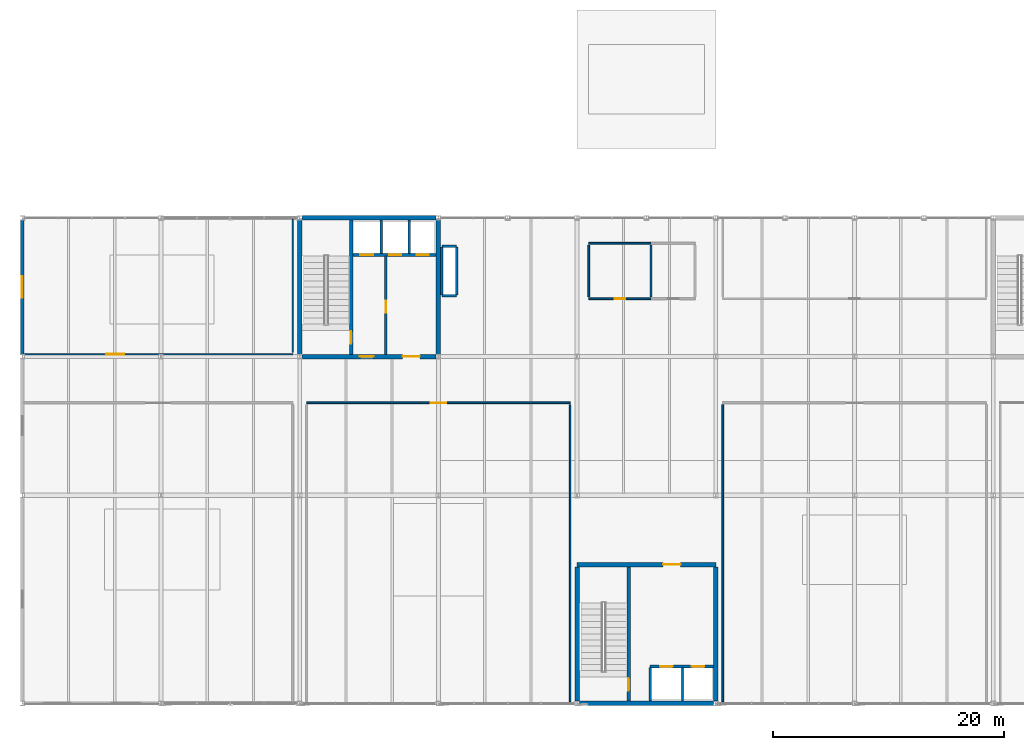
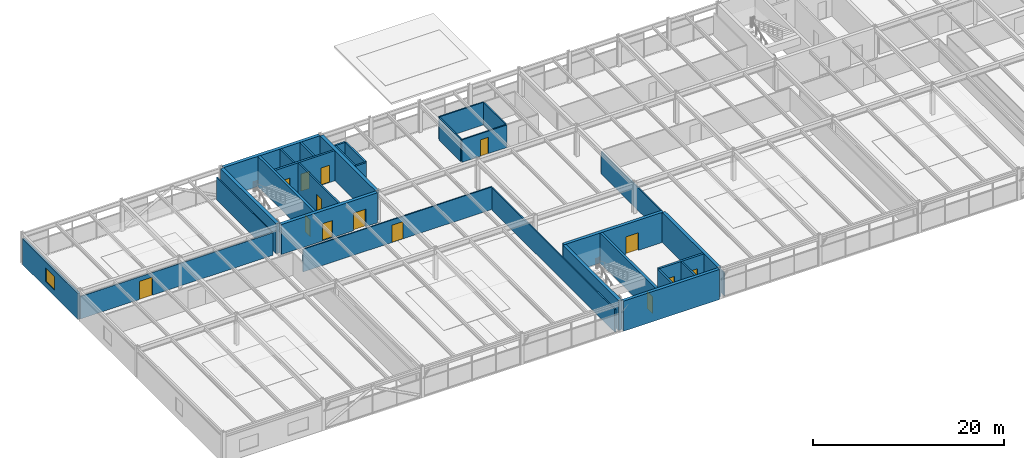
# One storey, part 41 of 49: 31 walls, 14 doors, 1 window, 15 openings.
"""IFC4 building model written with IfcOpenShell, lengths in metres."""

from ifc_helpers import new_model, si_unit, direction, frame, frame_2d, origin, place, context, subcontext, project, spatial, rectangle, extrude, material, layer, layer_set, type_object, element, fill, save


model = new_model("IFC4")

# Units and contexts
model_context = context("Model", 3, precision=1e-05, world=origin(), true_north=direction((0.0, 1.0)))
body_context = subcontext(model_context, "Body", "Model", "MODEL_VIEW")
ifc_project = project(units=[si_unit("LENGTHUNIT", "METRE"), si_unit("AREAUNIT", "SQUARE_METRE"), si_unit("VOLUMEUNIT", "CUBIC_METRE"), si_unit("PLANEANGLEUNIT", "RADIAN"), si_unit("MASSUNIT", "GRAM", prefix="KILO")], contexts=[model_context])

# Site, building, storey
site_placement = place(None, origin())
site = spatial("IfcSite", under=ifc_project, at=site_placement, CompositionType="ELEMENT")
building_placement = place(site_placement, origin())
building = spatial("IfcBuilding", under=site, at=building_placement, Name="Girod Span Mobility Hub", CompositionType="ELEMENT")
storey_placement = place(building_placement, frame((0.0, 0.0, 37.60009765625)))
storey = spatial("IfcBuildingStorey", under=building, at=storey_placement, Name="L09", CompositionType="ELEMENT", Elevation=37.60009765625)

# Wall
ifc_material_1 = material(Name="Concrete C40/50", Category="concrete")
ifc_layer_1 = layer(ifc_material_1, 0.3798828125)
ifc_layer_set_1 = layer_set([ifc_layer_1], Name="Concrete C40/50")
wall_type_1 = type_object("IfcWallType", Name="W-CW-380", PredefinedType="SHEAR", material=ifc_layer_set_1)
wall_1_placement = place(storey_placement, frame((72.194091796875, 27.0, 0.0), z_axis=(0.0, 0.0, 1.0), x_axis=(1.0, 0.0, 0.0)))
element("IfcWall", 1, at=wall_1_placement, inside=storey, type_object=wall_type_1, Name="Core C3 Shear Wall S L09", PredefinedType="SHEAR", context=body_context, shape_type="SweptSolid", body=[
    extrude(rectangle(XDim=11.61181640625, YDim=0.3798828125, at=frame_2d((5.805908203125, 0.0))), origin(), (0.0, 0.0, 1.0), 3.837890625),
])

# Wall, opening, door
wall_2_placement = place(storey_placement, frame((72.0, 39.0, 0.0), z_axis=(0.0, 0.0, 1.0), x_axis=(1.0, 0.0, 0.0)))
wall_2 = element("IfcWall", 2, at=wall_2_placement, inside=storey, type_object=wall_type_1, Name="Core C3 Shear Wall N L09", PredefinedType="SHEAR", context=body_context, shape_type="SweptSolid", body=[
    extrude(rectangle(XDim=12.0, YDim=0.3798828125, at=frame_2d((6.0, 0.0))), origin(), (0.0, 0.0, 1.0), 3.837890625),
])
opening_1_placement = place(wall_2_placement, frame((7.449951171875, 0.0, 0.0)))
opening_1 = element("IfcOpeningElement", 3, at=opening_1_placement, cuts=wall_2, Name="Opening D-LB-C3-L09", PredefinedType="OPENING", context=body_context, shape_type="SweptSolid", body=[
    extrude(rectangle(XDim=1.5, YDim=2.25, at=frame_2d((0.75, 1.125))), frame((0.0, 0.204833984375, 0.0), z_axis=(0.0, -1.0, 0.0), x_axis=(1.0, 0.0, 0.0)), (0.0, 0.0, 1.0), 0.409912109375),
])
ifc_material_2 = material(Name="Fire-Rated Insulated Hollow Metal Steel", Category="steel")
door_type_1 = type_object("IfcDoorType", Name="DT-FD-03", OperationType="DOUBLE_DOOR_SINGLE_SWING", PredefinedType="DOOR", material=ifc_material_2)
door_1_placement = place(opening_1_placement, origin())
door_1 = element("IfcDoor", 4, at=door_1_placement, inside=storey, type_object=door_type_1, Name="Core C3 Lobby Door L09", OperationType="DOUBLE_DOOR_SINGLE_SWING", OverallHeight=2.25, OverallWidth=1.5, PredefinedType="DOOR", context=body_context, shape_type="SweptSolid", body=[
    extrude(rectangle(XDim=1.5, YDim=2.25, at=frame_2d((0.75, 1.125))), frame((0.0, 0.02490234375, 0.0), z_axis=(0.0, -1.0, 0.0), x_axis=(1.0, 0.0, 0.0)), (0.0, 0.0, 1.0), 0.050048828125),
])
fill(opening_1, door_1)

# Walls
for number, where, z_axis, x_axis, name in (
    (5, (72.0, 27.1845703125, 0.0), (0.0, 0.0, 1.0), (0.0, 1.0, 0.0), "Core C3 Shear Wall W L09"),
    (6, (84.0, 27.1845703125, 0.0), (0.0, 0.0, 1.0), (0.0, 1.0, 0.0), "Core C3 Shear Wall E L09"),
):
    element("IfcWall", number, at=place(storey_placement, frame(where, z_axis=z_axis, x_axis=x_axis)), inside=storey, type_object=wall_type_1, Name=name, PredefinedType="SHEAR", context=body_context, shape_type="SweptSolid", body=[
        extrude(rectangle(XDim=11.62841796875, YDim=0.3798828125, at=frame_2d((5.814208984375, 0.0))), origin(), (0.0, 0.0, 1.0), 3.837890625),
    ])

# Wall, openings, doors
ifc_material_3 = material(Name="Concrete C40/50", Category="concrete")
ifc_layer_2 = layer(ifc_material_3, 0.39990234375)
ifc_layer_set_2 = layer_set([ifc_layer_2], Name="Concrete C40/50")
wall_type_2 = type_object("IfcWallType", Name="W-CW-400", PredefinedType="SHEAR", material=ifc_layer_set_2)
wall_3_placement = place(storey_placement, frame((48.196533203125, 57.0, 0.0), z_axis=(0.0, 0.0, 1.0), x_axis=(1.0, 0.0, 0.0)))
wall_3 = element("IfcWall", 7, at=wall_3_placement, inside=storey, type_object=wall_type_2, Name="Core C1 Shear Wall S L09", PredefinedType="SHEAR", context=body_context, shape_type="SweptSolid", body=[
    extrude(rectangle(XDim=11.60693359375, YDim=0.39990234375, at=frame_2d((5.803466796875, 0.0))), origin(), (0.0, 0.0, 1.0), 3.837890625),
])
opening_2_placement = place(wall_3_placement, frame((5.00390625, 0.0, 0.0)))
opening_2 = element("IfcOpeningElement", 8, at=opening_2_placement, cuts=wall_3, Name="Opening D-FL-C1-L09", PredefinedType="OPENING", context=body_context, shape_type="SweptSolid", body=[
    extrude(rectangle(XDim=1.199951171875, YDim=2.199951171875, at=frame_2d((0.60009765625, 1.10009765625))), frame((0.0, 0.21484375, 0.0), z_axis=(0.0, -1.0, 0.0), x_axis=(1.0, 0.0, 0.0)), (0.0, 0.0, 1.0), 0.429931640625),
])
opening_3_placement = place(wall_3_placement, frame((8.702880859375, 0.0, 0.0)))
opening_3 = element("IfcOpeningElement", 9, at=opening_3_placement, cuts=wall_3, Name="Opening D-LB-C1-L09", PredefinedType="OPENING", context=body_context, shape_type="SweptSolid", body=[
    extrude(rectangle(XDim=1.5, YDim=2.25, at=frame_2d((0.75, 1.125))), frame((0.0, 0.21484375, 0.0), z_axis=(0.0, -1.0, 0.0), x_axis=(1.0, 0.0, 0.0)), (0.0, 0.0, 1.0), 0.429931640625),
])
door_2_placement = place(opening_3_placement, origin())
door_2 = element("IfcDoor", 10, at=door_2_placement, inside=storey, type_object=door_type_1, Name="Lift Lobby Entry Door C1 L09", OperationType="DOUBLE_DOOR_SINGLE_SWING", OverallHeight=2.25, OverallWidth=1.5, PredefinedType="DOOR", context=body_context, shape_type="SweptSolid", body=[
    extrude(rectangle(XDim=1.5, YDim=2.25, at=frame_2d((0.75, 1.125))), frame((0.0, 0.02490234375, 0.0), z_axis=(0.0, -1.0, 0.0), x_axis=(1.0, 0.0, 0.0)), (0.0, 0.0, 1.0), 0.050048828125),
])
fill(opening_3, door_2)
ifc_material_4 = material(Name="Fire-Rated Insulated Hollow Metal Steel", Category="steel")
door_type_2 = type_object("IfcDoorType", Name="DT-FD-05", OperationType="NOTDEFINED", PredefinedType="DOOR", material=ifc_material_4)
door_3_placement = place(opening_2_placement, origin())
door_3 = element("IfcDoor", 11, at=door_3_placement, inside=storey, type_object=door_type_2, Name="Firefighting Lobby Entry Door C1 L09", OperationType="SINGLE_SWING_RIGHT", OverallHeight=2.199951171875, OverallWidth=1.199951171875, PredefinedType="DOOR", context=body_context, shape_type="SweptSolid", body=[
    extrude(rectangle(XDim=1.199951171875, YDim=2.199951171875, at=frame_2d((0.60009765625, 1.10009765625))), frame((0.0, 0.02490234375, 0.0), z_axis=(0.0, -1.0, 0.0), x_axis=(1.0, 0.0, 0.0)), (0.0, 0.0, 1.0), 0.050048828125),
])
fill(opening_2, door_3)

# Walls
wall_4_placement = place(storey_placement, frame((48.196533203125, 69.0, 0.0), z_axis=(0.0, 0.0, 1.0), x_axis=(1.0, 0.0, 0.0)))
element("IfcWall", 12, at=wall_4_placement, inside=storey, type_object=wall_type_2, Name="Core C1 Shear Wall N L09", PredefinedType="SHEAR", context=body_context, shape_type="SweptSolid", body=[
    extrude(rectangle(XDim=11.60693359375, YDim=0.39990234375, at=frame_2d((5.803466796875, 0.0))), origin(), (0.0, 0.0, 1.0), 3.837890625),
])
for number, where, z_axis, x_axis, name in (
    (13, (48.0, 57.193603515625, 0.0), (0.0, 0.0, 1.0), (0.0, 1.0, 0.0), "Core C1 Shear Wall W L09"),
    (14, (60.0, 57.193603515625, 0.0), (0.0, 0.0, 1.0), (0.0, 1.0, 0.0), "Core C1 Shear Wall E L09"),
):
    element("IfcWall", number, at=place(storey_placement, frame(where, z_axis=z_axis, x_axis=x_axis)), inside=storey, type_object=wall_type_2, Name=name, PredefinedType="SHEAR", context=body_context, shape_type="SweptSolid", body=[
        extrude(rectangle(XDim=11.61279296875, YDim=0.39990234375, at=frame_2d((5.806396484375, 0.0))), origin(), (0.0, 0.0, 1.0), 3.837890625),
    ])

# Wall, opening, window
ifc_material_5 = material(Name="Precast Architectural Concrete C40/50", Category="concrete")
ifc_layer_3 = layer(ifc_material_5, 0.27001953125)
ifc_layer_set_3 = layer_set([ifc_layer_3], Name="Precast Architectural Concrete C40/50")
wall_type_3 = type_object("IfcWallType", Name="W-EXT-270", PredefinedType="SOLIDWALL", material=ifc_layer_set_3)
wall_5_placement = place(storey_placement, frame((24.0, 57.185546875, 0.0), z_axis=(0.0, 0.0, 1.0), x_axis=(0.0, 1.0, 0.0)))
wall_5 = element("IfcWall", 15, at=wall_5_placement, inside=storey, type_object=wall_type_3, Name="End Facade Insulated Wall W-E L09", PredefinedType="SOLIDWALL", context=body_context, shape_type="SweptSolid", body=[
    extrude(rectangle(XDim=11.62890625, YDim=0.27001953125, at=frame_2d((5.814453125, 0.0))), origin(), (0.0, 0.0, 1.0), 3.291015625),
])
opening_4_placement = place(wall_5_placement, frame((4.885009765625, 0.0, 0.780029296875)))
opening_4 = element("IfcOpeningElement", 16, at=opening_4_placement, cuts=wall_5, Name="Opening W-L09-W4", PredefinedType="OPENING", context=body_context, shape_type="SweptSolid", body=[
    extrude(rectangle(XDim=1.860107421875, YDim=1.739990234375, at=frame_2d((0.93017578125, 0.8701171875))), frame((0.0, 0.14990234375, 0.0), z_axis=(0.0, -1.0, 0.0), x_axis=(1.0, 0.0, 0.0)), (0.0, 0.0, 1.0), 0.300048828125),
])
ifc_material_6 = material(Name="Double Low-E Insulated Glazing", Category="glass")
window_type = type_object("IfcWindowType", Name="WN-34", PartitioningType="DOUBLE_PANEL_VERTICAL", PredefinedType="WINDOW", material=ifc_material_6)
window_placement = place(opening_4_placement, origin())
window = element("IfcWindow", 17, at=window_placement, inside=storey, type_object=window_type, Name="End Office Window WN-34", OverallHeight=1.739990234375, OverallWidth=1.860107421875, PartitioningType="DOUBLE_PANEL_VERTICAL", PredefinedType="WINDOW", context=body_context, shape_type="SweptSolid", body=[
    extrude(rectangle(XDim=1.860107421875, YDim=1.739990234375, at=frame_2d((0.93017578125, 0.8701171875))), frame((0.0, 0.030029296875, 0.0), z_axis=(0.0, -1.0, 0.0), x_axis=(1.0, 0.0, 0.0)), (0.0, 0.0, 1.0), 0.06005859375),
])
fill(opening_4, window)

# Wall, opening, door
ifc_material_7 = material(Name="Concrete C40/50", Category="concrete")
ifc_layer_4 = layer(ifc_material_7, 0.18994140625)
ifc_layer_set_4 = layer_set([ifc_layer_4], Name="Concrete C40/50")
wall_type_4 = type_object("IfcWallType", Name="W-FL-190", PredefinedType="SOLIDWALL", material=ifc_layer_set_4)
wall_6_placement = place(storey_placement, frame((55.449951171875, 57.199951171875, 0.0), z_axis=(0.0, 0.0, 1.0), x_axis=(0.0, 1.0, 0.0)))
wall_6 = element("IfcWall", 18, at=wall_6_placement, inside=storey, type_object=wall_type_4, Name="Core C1 Firefighting Lobby Wall L09", PredefinedType="SOLIDWALL", context=body_context, shape_type="SweptSolid", body=[
    extrude(rectangle(XDim=8.47998046875, YDim=0.18994140625, at=frame_2d((4.239990234375, 0.0))), origin(), (0.0, 0.0, 1.0), 3.827880859375),
])
opening_5_placement = place(wall_6_placement, frame((3.60009765625, 0.0, 0.0)))
opening_5 = element("IfcOpeningElement", 19, at=opening_5_placement, cuts=wall_6, Name="Opening D-FLX-C1-L09", PredefinedType="OPENING", context=body_context, shape_type="SweptSolid", body=[
    extrude(rectangle(XDim=1.0400390625, YDim=2.179931640625, at=frame_2d((0.52001953125, 1.08984375))), frame((0.0, 0.10986328125, 0.0), z_axis=(0.0, -1.0, 0.0), x_axis=(1.0, 0.0, 0.0)), (0.0, 0.0, 1.0), 0.219970703125),
])
ifc_material_8 = material(Name="Fire-Rated Insulated Hollow Metal Steel", Category="steel")
door_type_3 = type_object("IfcDoorType", Name="DT-FD-02", OperationType="NOTDEFINED", PredefinedType="DOOR", material=ifc_material_8)
door_4_placement = place(opening_5_placement, origin())
door_4 = element("IfcDoor", 20, at=door_4_placement, inside=storey, type_object=door_type_3, Name="Firefighting Lobby Interconnect Door C1 L09", OperationType="SINGLE_SWING_RIGHT", OverallHeight=2.179931640625, OverallWidth=1.0400390625, PredefinedType="DOOR", context=body_context, shape_type="SweptSolid", body=[
    extrude(rectangle(XDim=1.0400390625, YDim=2.179931640625, at=frame_2d((0.52001953125, 1.08984375))), frame((0.0, 0.02490234375, 0.0), z_axis=(0.0, -1.0, 0.0), x_axis=(1.0, 0.0, 0.0)), (0.0, 0.0, 1.0), 0.050048828125),
])
fill(opening_5, door_4)

ifc_material_9 = material(Name="Fire-Rated Gypsum Board on Metal Studs", Category="gypsum")
ifc_layer_5 = layer(ifc_material_9, 0.155029296875)
ifc_layer_set_5 = layer_set([ifc_layer_5], Name="Fire-Rated Gypsum Board on Metal Studs")
wall_type_5 = type_object("IfcWallType", Name="W-PLB-155", PredefinedType="PLUMBINGWALL", material=ifc_layer_set_5)
wall_7_placement = place(storey_placement, frame((73.0, 62.0, 0.0), z_axis=(0.0, 0.0, 1.0), x_axis=(1.0, 0.0, 0.0)))
wall_7 = element("IfcWall", 21, at=wall_7_placement, inside=storey, type_object=wall_type_5, Name="Restroom L09 Partition S", PredefinedType="PLUMBINGWALL", context=body_context, shape_type="SweptSolid", body=[
    extrude(rectangle(XDim=5.39990234375, YDim=0.155029296875, at=frame_2d((2.699951171875, 0.0))), origin(), (0.0, 0.0, 1.0), 2.8798828125),
])
opening_6_placement = place(wall_7_placement, frame((2.239990234375, 0.0, 0.0)))
opening_6 = element("IfcOpeningElement", 22, at=opening_6_placement, cuts=wall_7, Name="Opening D-L09-WC-MAIN", PredefinedType="OPENING", context=body_context, shape_type="SweptSolid", body=[
    extrude(rectangle(XDim=0.919921875, YDim=2.10009765625, at=frame_2d((0.4599609375, 1.050048828125))), frame((0.0, 0.092529296875, 0.0), z_axis=(0.0, -1.0, 0.0), x_axis=(1.0, 0.0, 0.0)), (0.0, 0.0, 1.0), 0.18505859375),
])
ifc_material_10 = material(Name="Solid-Core Architectural Timber", Category="wood")
door_type_4 = type_object("IfcDoorType", Name="DT-NR-01", OperationType="NOTDEFINED", PredefinedType="DOOR", material=ifc_material_10)
door_5_placement = place(opening_6_placement, origin())
door_5 = element("IfcDoor", 23, at=door_5_placement, inside=storey, type_object=door_type_4, Name="Restroom L09 Door", OperationType="SINGLE_SWING_LEFT", OverallHeight=2.10009765625, OverallWidth=0.919921875, PredefinedType="DOOR", context=body_context, shape_type="SweptSolid", body=[
    extrude(rectangle(XDim=0.919921875, YDim=2.10009765625, at=frame_2d((0.4599609375, 1.050048828125))), frame((0.0, 0.02490234375, 0.0), z_axis=(0.0, -1.0, 0.0), x_axis=(1.0, 0.0, 0.0)), (0.0, 0.0, 1.0), 0.050048828125),
])
fill(opening_6, door_5)

# Walls
wall_8_placement = place(storey_placement, frame((73.0, 66.800048828125, 0.0), z_axis=(0.0, 0.0, 1.0), x_axis=(1.0, 0.0, 0.0)))
element("IfcWall", 24, at=wall_8_placement, inside=storey, type_object=wall_type_5, Name="Restroom L09 Partition N", PredefinedType="PLUMBINGWALL", context=body_context, shape_type="SweptSolid", body=[
    extrude(rectangle(XDim=5.39990234375, YDim=0.155029296875, at=frame_2d((2.699951171875, 0.0))), origin(), (0.0, 0.0, 1.0), 2.8798828125),
])
for number, where, z_axis, x_axis, name in (
    (25, (73.0, 62.159912109375, 0.0), (0.0, 0.0, 1.0), (0.0, 1.0, 0.0), "Restroom L09 Partition W"),
    (26, (78.39990234375, 62.159912109375, 0.0), (0.0, 0.0, 1.0), (0.0, 1.0, 0.0), "Restroom L09 Partition E"),
):
    element("IfcWall", number, at=place(storey_placement, frame(where, z_axis=z_axis, x_axis=x_axis)), inside=storey, type_object=wall_type_5, Name=name, PredefinedType="PLUMBINGWALL", context=body_context, shape_type="SweptSolid", body=[
        extrude(rectangle(XDim=4.47998046875, YDim=0.155029296875, at=frame_2d((2.239990234375, 0.0))), origin(), (0.0, 0.0, 1.0), 2.8798828125),
    ])

# Wall, opening, door
ifc_material_11 = material(Name="Fire-Rated Gypsum Board on Metal Studs", Category="gypsum")
ifc_layer_6 = layer(ifc_material_11, 0.125)
ifc_layer_set_6 = layer_set([ifc_layer_6], Name="Fire-Rated Gypsum Board on Metal Studs")
wall_type_6 = type_object("IfcWallType", Name="W-PT-125", PredefinedType="PARTITIONING", material=ifc_layer_set_6)
wall_9_placement = place(storey_placement, frame((24.139892578125, 57.199951171875, 0.0), z_axis=(0.0, 0.0, 1.0), x_axis=(1.0, 0.0, 0.0)))
wall_9 = element("IfcWall", 27, at=wall_9_placement, inside=storey, type_object=wall_type_6, Name="Engineering Studio West L09 Partition S", PredefinedType="PARTITIONING", context=body_context, shape_type="SweptSolid", body=[
    extrude(rectangle(XDim=23.260009765625, YDim=0.125, at=frame_2d((11.6298828125, 0.0))), origin(), (0.0, 0.0, 1.0), 2.8798828125),
])
opening_7_placement = place(wall_9_placement, frame((7.133056640625, 0.0, 0.0)))
opening_7 = element("IfcOpeningElement", 28, at=opening_7_placement, cuts=wall_9, Name="Opening D-L09-OFF-NW", PredefinedType="OPENING", context=body_context, shape_type="SweptSolid", body=[
    extrude(rectangle(XDim=1.550048828125, YDim=2.31005859375, at=frame_2d((0.77490234375, 1.155029296875))), frame((0.0, 0.077392578125, 0.0), z_axis=(0.0, -1.0, 0.0), x_axis=(1.0, 0.0, 0.0)), (0.0, 0.0, 1.0), 0.155029296875),
])
ifc_material_12 = material(Name="Solid-Core Architectural Timber", Category="wood")
door_type_5 = type_object("IfcDoorType", Name="DT-NR-14", OperationType="DOUBLE_DOOR_SINGLE_SWING", PredefinedType="DOOR", material=ifc_material_12)
door_6_placement = place(opening_7_placement, origin())
door_6 = element("IfcDoor", 29, at=door_6_placement, inside=storey, type_object=door_type_5, Name="Engineering Studio West L09 Door", OperationType="DOUBLE_DOOR_SINGLE_SWING", OverallHeight=2.31005859375, OverallWidth=1.550048828125, PredefinedType="DOOR", context=body_context, shape_type="SweptSolid", body=[
    extrude(rectangle(XDim=1.550048828125, YDim=2.31005859375, at=frame_2d((0.77490234375, 1.155029296875))), frame((0.0, 0.02490234375, 0.0), z_axis=(0.0, -1.0, 0.0), x_axis=(1.0, 0.0, 0.0)), (0.0, 0.0, 1.0), 0.050048828125),
])
fill(opening_7, door_6)

# Wall
wall_10_placement = place(storey_placement, frame((47.39990234375, 57.360107421875, 0.0), z_axis=(0.0, 0.0, 1.0), x_axis=(0.0, 1.0, 0.0)))
element("IfcWall", 30, at=wall_10_placement, inside=storey, type_object=wall_type_6, Name="Engineering Studio West L09 Partition E", PredefinedType="PARTITIONING", context=body_context, shape_type="SweptSolid", body=[
    extrude(rectangle(XDim=11.5, YDim=0.125, at=frame_2d((5.75, 0.0))), origin(), (0.0, 0.0, 1.0), 2.8798828125),
])

# Wall, opening, door
ifc_material_13 = material(Name="Fire-Rated Gypsum Board on Metal Studs", Category="gypsum")
ifc_layer_7 = layer(ifc_material_13, 0.139892578125)
ifc_layer_set_7 = layer_set([ifc_layer_7], Name="Fire-Rated Gypsum Board on Metal Studs")
wall_type_7 = type_object("IfcWallType", Name="W-PT-140", PredefinedType="PARTITIONING", material=ifc_layer_set_7)
wall_11_placement = place(storey_placement, frame((48.60009765625, 53.0, 0.0), z_axis=(0.0, 0.0, 1.0), x_axis=(1.0, 0.0, 0.0)))
wall_11 = element("IfcWall", 31, at=wall_11_placement, inside=storey, type_object=wall_type_7, Name="Conference Room West L09 Partition N", PredefinedType="PARTITIONING", context=body_context, shape_type="SweptSolid", body=[
    extrude(rectangle(XDim=22.7998046875, YDim=0.139892578125, at=frame_2d((11.39990234375, 0.0))), origin(), (0.0, 0.0, 1.0), 2.8798828125),
])
opening_8_placement = place(wall_11_placement, frame((10.735107421875, 0.0, 0.0)))
opening_8 = element("IfcOpeningElement", 32, at=opening_8_placement, cuts=wall_11, Name="Opening D-L09-CONF-SW", PredefinedType="OPENING", context=body_context, shape_type="SweptSolid", body=[
    extrude(rectangle(XDim=1.330078125, YDim=2.199951171875, at=frame_2d((0.6650390625, 1.10009765625))), frame((0.0, 0.0849609375, 0.0), z_axis=(0.0, -1.0, 0.0), x_axis=(1.0, 0.0, 0.0)), (0.0, 0.0, 1.0), 0.169921875),
])
ifc_material_14 = material(Name="Solid-Core Architectural Timber", Category="wood")
door_type_6 = type_object("IfcDoorType", Name="DT-NR-10", OperationType="DOUBLE_DOOR_SINGLE_SWING", PredefinedType="DOOR", material=ifc_material_14)
door_7_placement = place(opening_8_placement, origin())
door_7 = element("IfcDoor", 33, at=door_7_placement, inside=storey, type_object=door_type_6, Name="Conference Room West L09 Door", OperationType="DOUBLE_DOOR_SINGLE_SWING", OverallHeight=2.199951171875, OverallWidth=1.330078125, PredefinedType="DOOR", context=body_context, shape_type="SweptSolid", body=[
    extrude(rectangle(XDim=1.330078125, YDim=2.199951171875, at=frame_2d((0.6650390625, 1.10009765625))), frame((0.0, 0.02490234375, 0.0), z_axis=(0.0, -1.0, 0.0), x_axis=(1.0, 0.0, 0.0)), (0.0, 0.0, 1.0), 0.050048828125),
])
fill(opening_8, door_7)

# Walls
for number, where, z_axis, x_axis, name in (
    (34, (71.39990234375, 27.139892578125, 0.0), (0.0, 0.0, 1.0), (0.0, 1.0, 0.0), "Conference Room West L09 Partition E"),
    (35, (84.60009765625, 27.139892578125, 0.0), (0.0, 0.0, 1.0), (0.0, 1.0, 0.0), "Planning Studio South L09 Partition W"),
):
    element("IfcWall", number, at=place(storey_placement, frame(where, z_axis=z_axis, x_axis=x_axis)), inside=storey, type_object=wall_type_7, Name=name, PredefinedType="PARTITIONING", context=body_context, shape_type="SweptSolid", body=[
        extrude(rectangle(XDim=25.7001953125, YDim=0.139892578125, at=frame_2d((12.85009765625, 0.0))), origin(), (0.0, 0.0, 1.0), 2.8798828125),
    ])
ifc_material_15 = material(Name="Concrete C40/50", Category="concrete")
ifc_layer_8 = layer(ifc_material_15, 0.199951171875)
ifc_layer_set_8 = layer_set([ifc_layer_8], Name="Concrete C40/50")
wall_type_8 = type_object("IfcWallType", Name="W-SH-200", PredefinedType="SOLIDWALL", material=ifc_layer_set_8)
for number, where, z_axis, x_axis, name in (
    (36, (60.297119140625, 62.25, 0.0), (0.0, 0.0, 1.0), (1.0, 0.0, 0.0), "Sanitary Wet Riser Shaft Wall S L09"),
    (37, (60.297119140625, 66.550048828125, 0.0), (0.0, 0.0, 1.0), (1.0, 0.0, 0.0), "Sanitary Wet Riser Shaft Wall N L09"),
):
    element("IfcWall", number, at=place(storey_placement, frame(where, z_axis=z_axis, x_axis=x_axis)), inside=storey, type_object=wall_type_8, Name=name, PredefinedType="SOLIDWALL", context=body_context, shape_type="SweptSolid", body=[
        extrude(rectangle(XDim=1.282958984375, YDim=0.199951171875, at=frame_2d((0.6416015625, 0.0))), origin(), (0.0, 0.0, 1.0), 3.837890625),
    ])
for number, where, z_axis, x_axis, name in (
    (38, (60.297119140625, 62.330078125, 0.0), (0.0, 0.0, 1.0), (0.0, 1.0, 0.0), "Sanitary Wet Riser Shaft Wall W L09"),
    (39, (61.580078125, 62.330078125, 0.0), (0.0, 0.0, 1.0), (0.0, 1.0, 0.0), "Sanitary Wet Riser Shaft Wall E L09"),
):
    element("IfcWall", number, at=place(storey_placement, frame(where, z_axis=z_axis, x_axis=x_axis)), inside=storey, type_object=wall_type_8, Name=name, PredefinedType="SOLIDWALL", context=body_context, shape_type="SweptSolid", body=[
        extrude(rectangle(XDim=4.139892578125, YDim=0.199951171875, at=frame_2d((2.06982421875, 0.0))), origin(), (0.0, 0.0, 1.0), 3.837890625),
    ])
for number, where, z_axis, x_axis, name in (
    (40, (55.050048828125, 65.919921875, 0.0), (0.0, 0.0, 1.0), (0.0, 1.0, 0.0), "Core C1 Shaft Divider 1 L09"),
    (41, (57.47998046875, 65.919921875, 0.0), (0.0, 0.0, 1.0), (0.0, 1.0, 0.0), "Core C1 Shaft Divider 2 L09"),
):
    element("IfcWall", number, at=place(storey_placement, frame(where, z_axis=z_axis, x_axis=x_axis)), inside=storey, type_object=wall_type_8, Name=name, PredefinedType="SOLIDWALL", context=body_context, shape_type="SweptSolid", body=[
        extrude(rectangle(XDim=2.880126953125, YDim=0.199951171875, at=frame_2d((1.43994140625, 0.0))), origin(), (0.0, 0.0, 1.0), 3.827880859375),
    ])
for number, where, z_axis, x_axis, name in (
    (42, (78.320068359375, 27.18994140625, 0.0), (0.0, 0.0, 1.0), (0.0, 1.0, 0.0), "Core C3 Shaft Divider 1 L09"),
    (43, (81.1201171875, 27.18994140625, 0.0), (0.0, 0.0, 1.0), (0.0, 1.0, 0.0), "Core C3 Shaft Divider 2 L09"),
):
    element("IfcWall", number, at=place(storey_placement, frame(where, z_axis=z_axis, x_axis=x_axis)), inside=storey, type_object=wall_type_8, Name=name, PredefinedType="SOLIDWALL", context=body_context, shape_type="SweptSolid", body=[
        extrude(rectangle(XDim=2.89013671875, YDim=0.199951171875, at=frame_2d((1.445068359375, 0.0))), origin(), (0.0, 0.0, 1.0), 3.827880859375),
    ])

# Wall, openings, doors
ifc_material_16 = material(Name="Concrete C40/50", Category="concrete")
ifc_layer_9 = layer(ifc_material_16, 0.25)
ifc_layer_set_9 = layer_set([ifc_layer_9], Name="Concrete C40/50")
wall_type_9 = type_object("IfcWallType", Name="W-SH-250", PredefinedType="SOLIDWALL", material=ifc_layer_set_9)
wall_12_placement = place(storey_placement, frame((52.596923828125, 65.800048828125, 0.0), z_axis=(0.0, 0.0, 1.0), x_axis=(1.0, 0.0, 0.0)))
wall_12 = element("IfcWall", 44, at=wall_12_placement, inside=storey, type_object=wall_type_9, Name="Core C1 Hoistway Front Wall L09", PredefinedType="SOLIDWALL", context=body_context, shape_type="SweptSolid", body=[
    extrude(rectangle(XDim=7.2060546875, YDim=0.25, at=frame_2d((3.60302734375, 0.0))), origin(), (0.0, 0.0, 1.0), 3.837890625),
])
opening_9_placement = place(wall_12_placement, frame((0.653076171875, 0.0, 0.0)))
opening_9 = element("IfcOpeningElement", 45, at=opening_9_placement, cuts=wall_12, Name="Opening LD-FL-1-L09", PredefinedType="OPENING", context=body_context, shape_type="SweptSolid", body=[
    extrude(rectangle(XDim=1.10009765625, YDim=2.239990234375, at=frame_2d((0.550048828125, 1.1201171875))), frame((0.0, 0.139892578125, 0.0), z_axis=(0.0, -1.0, 0.0), x_axis=(1.0, 0.0, 0.0)), (0.0, 0.0, 1.0), 0.280029296875),
])
opening_10_placement = place(wall_12_placement, frame((3.153076171875, 0.0, 0.0)))
opening_10 = element("IfcOpeningElement", 46, at=opening_10_placement, cuts=wall_12, Name="Opening LD-LP-1-L09", PredefinedType="OPENING", context=body_context, shape_type="SweptSolid", body=[
    extrude(rectangle(XDim=1.050048828125, YDim=2.199951171875, at=frame_2d((0.52490234375, 1.10009765625))), frame((0.0, 0.139892578125, 0.0), z_axis=(0.0, -1.0, 0.0), x_axis=(1.0, 0.0, 0.0)), (0.0, 0.0, 1.0), 0.280029296875),
])
opening_11_placement = place(wall_12_placement, frame((5.528076171875, 0.0, 0.0)))
opening_11 = element("IfcOpeningElement", 47, at=opening_11_placement, cuts=wall_12, Name="Opening LD-LP-2-L09", PredefinedType="OPENING", context=body_context, shape_type="SweptSolid", body=[
    extrude(rectangle(XDim=1.050048828125, YDim=2.199951171875, at=frame_2d((0.52490234375, 1.10009765625))), frame((0.0, 0.139892578125, 0.0), z_axis=(0.0, -1.0, 0.0), x_axis=(1.0, 0.0, 0.0)), (0.0, 0.0, 1.0), 0.280029296875),
])
ifc_material_17 = material(Name="Brushed Stainless Steel Grade 304", Category="steel")
door_type_7 = type_object("IfcDoorType", Name="LD-FL-110", OperationType="SLIDING_TO_LEFT", PredefinedType="USERDEFINED", material=ifc_material_17)
door_8_placement = place(opening_9_placement, origin())
door_8 = element("IfcDoor", 48, at=door_8_placement, inside=storey, type_object=door_type_7, Name="Lift FL-1 Sliding Landing Door L09", ObjectType="LANDING DOOR", OperationType="SLIDING_TO_LEFT", OverallHeight=2.239990234375, OverallWidth=1.10009765625, PredefinedType="USERDEFINED", context=body_context, shape_type="SweptSolid", body=[
    extrude(rectangle(XDim=1.10009765625, YDim=2.239990234375, at=frame_2d((0.550048828125, 1.1201171875))), frame((0.0, 0.02490234375, 0.0), z_axis=(0.0, -1.0, 0.0), x_axis=(1.0, 0.0, 0.0)), (0.0, 0.0, 1.0), 0.050048828125),
])
fill(opening_9, door_8)
ifc_material_18 = material(Name="Brushed Stainless Steel Grade 304", Category="steel")
door_type_8 = type_object("IfcDoorType", Name="LD-LP-105", OperationType="SLIDING_TO_LEFT", PredefinedType="USERDEFINED", material=ifc_material_18)
door_9_placement = place(opening_10_placement, origin())
door_9 = element("IfcDoor", 49, at=door_9_placement, inside=storey, type_object=door_type_8, Name="Lift LP-1 Sliding Landing Door L09", ObjectType="LANDING DOOR", OperationType="SLIDING_TO_LEFT", OverallHeight=2.199951171875, OverallWidth=1.050048828125, PredefinedType="USERDEFINED", context=body_context, shape_type="SweptSolid", body=[
    extrude(rectangle(XDim=1.050048828125, YDim=2.199951171875, at=frame_2d((0.52490234375, 1.10009765625))), frame((0.0, 0.02490234375, 0.0), z_axis=(0.0, -1.0, 0.0), x_axis=(1.0, 0.0, 0.0)), (0.0, 0.0, 1.0), 0.050048828125),
])
fill(opening_10, door_9)
door_10_placement = place(opening_11_placement, origin())
door_10 = element("IfcDoor", 50, at=door_10_placement, inside=storey, type_object=door_type_8, Name="Lift LP-2 Sliding Landing Door L09", ObjectType="LANDING DOOR", OperationType="SLIDING_TO_LEFT", OverallHeight=2.199951171875, OverallWidth=1.050048828125, PredefinedType="USERDEFINED", context=body_context, shape_type="SweptSolid", body=[
    extrude(rectangle(XDim=1.050048828125, YDim=2.199951171875, at=frame_2d((0.52490234375, 1.10009765625))), frame((0.0, 0.02490234375, 0.0), z_axis=(0.0, -1.0, 0.0), x_axis=(1.0, 0.0, 0.0)), (0.0, 0.0, 1.0), 0.050048828125),
])
fill(opening_11, door_10)

wall_13_placement = place(storey_placement, frame((78.320068359375, 30.199951171875, 0.0), z_axis=(0.0, 0.0, 1.0), x_axis=(1.0, 0.0, 0.0)))
wall_13 = element("IfcWall", 51, at=wall_13_placement, inside=storey, type_object=wall_type_9, Name="Core C3 Hoistway Front Wall L09", PredefinedType="SOLIDWALL", context=body_context, shape_type="SweptSolid", body=[
    extrude(rectangle(XDim=5.492919921875, YDim=0.25, at=frame_2d((2.74658203125, 0.0))), origin(), (0.0, 0.0, 1.0), 3.837890625),
])
opening_12_placement = place(wall_13_placement, frame((0.860107421875, 0.0, 0.0)))
opening_12 = element("IfcOpeningElement", 52, at=opening_12_placement, cuts=wall_13, Name="Opening LD-LP-5-L09", PredefinedType="OPENING", context=body_context, shape_type="SweptSolid", body=[
    extrude(rectangle(XDim=1.080078125, YDim=2.219970703125, at=frame_2d((0.5400390625, 1.10986328125))), frame((0.0, 0.139892578125, 0.0), z_axis=(0.0, -1.0, 0.0), x_axis=(1.0, 0.0, 0.0)), (0.0, 0.0, 1.0), 0.280029296875),
])
opening_13_placement = place(wall_13_placement, frame((3.610107421875, 0.0, 0.0)))
opening_13 = element("IfcOpeningElement", 53, at=opening_13_placement, cuts=wall_13, Name="Opening LD-LP-6-L09", PredefinedType="OPENING", context=body_context, shape_type="SweptSolid", body=[
    extrude(rectangle(XDim=1.080078125, YDim=2.219970703125, at=frame_2d((0.5400390625, 1.10986328125))), frame((0.0, 0.139892578125, 0.0), z_axis=(0.0, -1.0, 0.0), x_axis=(1.0, 0.0, 0.0)), (0.0, 0.0, 1.0), 0.280029296875),
])
ifc_material_19 = material(Name="Brushed Stainless Steel Grade 304", Category="steel")
door_type_9 = type_object("IfcDoorType", Name="LD-LP-108", OperationType="SLIDING_TO_LEFT", PredefinedType="USERDEFINED", material=ifc_material_19)
door_11_placement = place(opening_12_placement, origin())
door_11 = element("IfcDoor", 54, at=door_11_placement, inside=storey, type_object=door_type_9, Name="Lift LP-5 Sliding Landing Door L09", ObjectType="LANDING DOOR", OperationType="SLIDING_TO_LEFT", OverallHeight=2.219970703125, OverallWidth=1.080078125, PredefinedType="USERDEFINED", context=body_context, shape_type="SweptSolid", body=[
    extrude(rectangle(XDim=1.080078125, YDim=2.219970703125, at=frame_2d((0.5400390625, 1.10986328125))), frame((0.0, 0.02490234375, 0.0), z_axis=(0.0, -1.0, 0.0), x_axis=(1.0, 0.0, 0.0)), (0.0, 0.0, 1.0), 0.050048828125),
])
fill(opening_12, door_11)
door_12_placement = place(opening_13_placement, origin())
door_12 = element("IfcDoor", 55, at=door_12_placement, inside=storey, type_object=door_type_9, Name="Lift LP-6 Sliding Landing Door L09", ObjectType="LANDING DOOR", OperationType="SLIDING_TO_LEFT", OverallHeight=2.219970703125, OverallWidth=1.080078125, PredefinedType="USERDEFINED", context=body_context, shape_type="SweptSolid", body=[
    extrude(rectangle(XDim=1.080078125, YDim=2.219970703125, at=frame_2d((0.5400390625, 1.10986328125))), frame((0.0, 0.02490234375, 0.0), z_axis=(0.0, -1.0, 0.0), x_axis=(1.0, 0.0, 0.0)), (0.0, 0.0, 1.0), 0.050048828125),
])
fill(opening_13, door_12)

# Wall, opening, door
ifc_material_20 = material(Name="Concrete C40/50", Category="concrete")
ifc_layer_10 = layer(ifc_material_20, 0.300048828125)
ifc_layer_set_10 = layer_set([ifc_layer_10], Name="Concrete C40/50")
wall_type_10 = type_object("IfcWallType", Name="W-SH-300", PredefinedType="SHEAR", material=ifc_layer_set_10)
wall_14_placement = place(storey_placement, frame((52.449951171875, 57.197021484375, 0.0), z_axis=(0.0, 0.0, 1.0), x_axis=(0.0, 1.0, 0.0)))
wall_14 = element("IfcWall", 56, at=wall_14_placement, inside=storey, type_object=wall_type_10, Name="Core C1 Stairwell Spine Wall L09", PredefinedType="SHEAR", context=body_context, shape_type="SweptSolid", body=[
    extrude(rectangle(XDim=11.60595703125, YDim=0.300048828125, at=frame_2d((5.802978515625, 0.0))), origin(), (0.0, 0.0, 1.0), 3.837890625),
])
opening_14_placement = place(wall_14_placement, frame((0.89990234375, 0.0, 0.0)))
opening_14 = element("IfcOpeningElement", 57, at=opening_14_placement, cuts=wall_14, Name="Opening D-ST-1-L09", PredefinedType="OPENING", context=body_context, shape_type="SweptSolid", body=[
    extrude(rectangle(XDim=1.10009765625, YDim=2.199951171875, at=frame_2d((0.550048828125, 1.10009765625))), frame((0.0, 0.1650390625, 0.0), z_axis=(0.0, -1.0, 0.0), x_axis=(1.0, 0.0, 0.0)), (0.0, 0.0, 1.0), 0.330078125),
])
ifc_material_21 = material(Name="Fire-Rated Insulated Hollow Metal Steel", Category="steel")
door_type_10 = type_object("IfcDoorType", Name="DT-FD-01", OperationType="NOTDEFINED", PredefinedType="DOOR", material=ifc_material_21)
door_13_placement = place(opening_14_placement, origin())
door_13 = element("IfcDoor", 58, at=door_13_placement, inside=storey, type_object=door_type_10, Name="Stair ST-1 Fire Door L09", OperationType="SINGLE_SWING_LEFT", OverallHeight=2.199951171875, OverallWidth=1.10009765625, PredefinedType="DOOR", context=body_context, shape_type="SweptSolid", body=[
    extrude(rectangle(XDim=1.10009765625, YDim=2.199951171875, at=frame_2d((0.550048828125, 1.10009765625))), frame((0.0, 0.02490234375, 0.0), z_axis=(0.0, -1.0, 0.0), x_axis=(1.0, 0.0, 0.0)), (0.0, 0.0, 1.0), 0.050048828125),
])
fill(opening_14, door_13)

wall_15_placement = place(storey_placement, frame((76.449951171875, 27.18701171875, 0.0), z_axis=(0.0, 0.0, 1.0), x_axis=(0.0, 1.0, 0.0)))
wall_15 = element("IfcWall", 59, at=wall_15_placement, inside=storey, type_object=wall_type_10, Name="Core C3 Stairwell Spine Wall L09", PredefinedType="SHEAR", context=body_context, shape_type="SweptSolid", body=[
    extrude(rectangle(XDim=11.6259765625, YDim=0.300048828125, at=frame_2d((5.81298828125, 0.0))), origin(), (0.0, 0.0, 1.0), 3.837890625),
])
opening_15_placement = place(wall_15_placement, frame((0.89990234375, 0.0, 0.0)))
opening_15 = element("IfcOpeningElement", 60, at=opening_15_placement, cuts=wall_15, Name="Opening D-ST-3-L09", PredefinedType="OPENING", context=body_context, shape_type="SweptSolid", body=[
    extrude(rectangle(XDim=1.10009765625, YDim=2.199951171875, at=frame_2d((0.550048828125, 1.10009765625))), frame((0.0, 0.1650390625, 0.0), z_axis=(0.0, -1.0, 0.0), x_axis=(1.0, 0.0, 0.0)), (0.0, 0.0, 1.0), 0.330078125),
])
door_14_placement = place(opening_15_placement, origin())
door_14 = element("IfcDoor", 61, at=door_14_placement, inside=storey, type_object=door_type_10, Name="Stair ST-3 Fire Door L09", OperationType="SINGLE_SWING_LEFT", OverallHeight=2.199951171875, OverallWidth=1.10009765625, PredefinedType="DOOR", context=body_context, shape_type="SweptSolid", body=[
    extrude(rectangle(XDim=1.10009765625, YDim=2.199951171875, at=frame_2d((0.550048828125, 1.10009765625))), frame((0.0, 0.02490234375, 0.0), z_axis=(0.0, -1.0, 0.0), x_axis=(1.0, 0.0, 0.0)), (0.0, 0.0, 1.0), 0.050048828125),
])
fill(opening_15, door_14)

save(model, "model.ifc")
